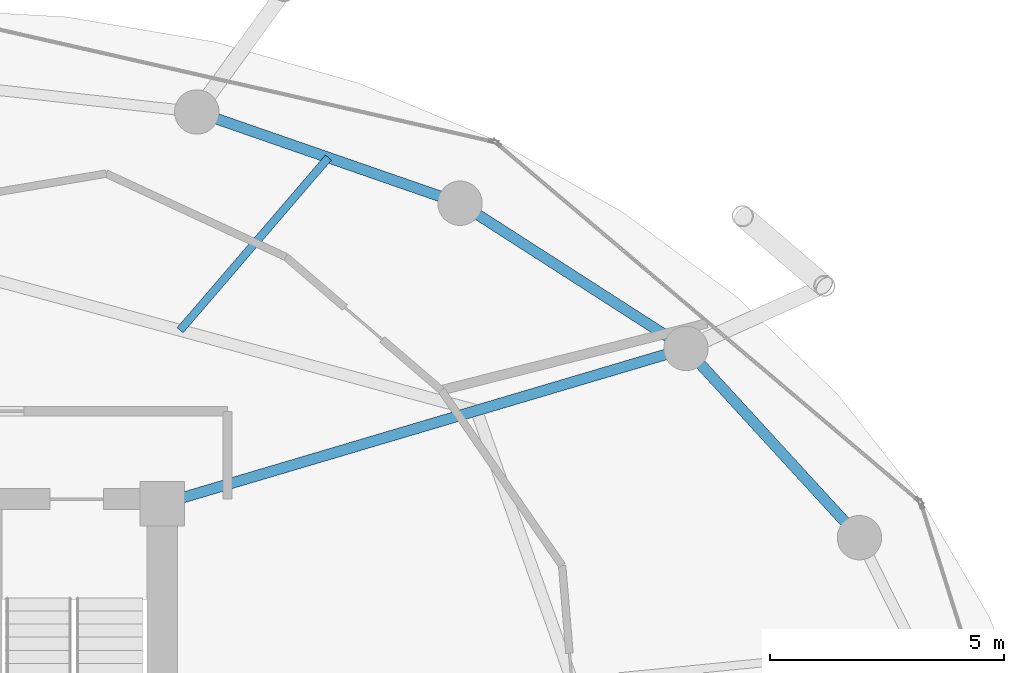
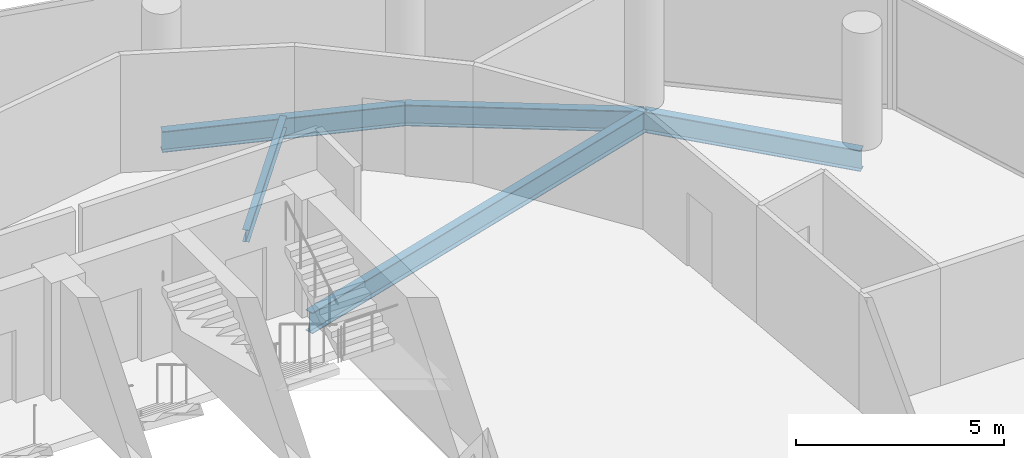
# One storey, part 18 of 26: 5 beams.
"""IFC4 building model written with IfcOpenShell, lengths in metres."""

from ifc_helpers import new_model, si_unit, direction, frame, origin, origin_2d, place, context, subcontext, project, spatial, i_section, extrude, material, material_profile, profile_set, type_object, element, save


model = new_model("IFC4")

# Units and contexts
model_context = context("Model", 3, precision=1e-05, world=origin(), true_north=direction((0.0, 1.0)))
body_context = subcontext(model_context, "Body", "Model", "MODEL_VIEW")
ifc_project = project(units=[si_unit("LENGTHUNIT", "METRE"), si_unit("AREAUNIT", "SQUARE_METRE"), si_unit("VOLUMEUNIT", "CUBIC_METRE"), si_unit("PLANEANGLEUNIT", "RADIAN"), si_unit("MASSUNIT", "GRAM", prefix="KILO")], contexts=[model_context])

# Site, building, storey
site_placement = place(None, origin())
site = spatial("IfcSite", under=ifc_project, at=site_placement, CompositionType="ELEMENT")
building_placement = place(site_placement, origin())
building = spatial("IfcBuilding", under=site, at=building_placement, Name="Nuhasar Tower", CompositionType="ELEMENT")
storey_placement = place(building_placement, frame((0.0, 0.0, 173.75)))
storey = spatial("IfcBuildingStorey", under=building, at=storey_placement, Name="L42", CompositionType="ELEMENT", Elevation=173.75)

# Beams
ifc_material = material(Name="Steel S355", Category="steel")
ifc_material_profile_1 = material_profile(ifc_material, i_section(OverallWidth=0.1708984375, OverallDepth=0.35205078125, WebThickness=0.0068359375, FlangeThickness=0.009765625, at=origin_2d()), Name="W14X30")
ifc_profile_set_1 = profile_set([ifc_material_profile_1], Name="Steel S355")
beam_type_1 = type_object("IfcBeamType", Name="BM-JST-W14X30", PredefinedType="JOIST", material=ifc_profile_set_1)
beam_1_placement = place(storey_placement, frame((44.68408203125, 41.011962890625, -0.426025390625), z_axis=(0.651690621509, 0.758484893612, 0.0), x_axis=(-0.758484893612, 0.651690621509, 0.0)))
element("IfcBeam", 1, at=beam_1_placement, inside=storey, type_object=beam_type_1, Name="L42 Secondary Floor Joist 05", PredefinedType="JOIST", context=body_context, shape_type="SweptSolid", body=[
    extrude(i_section(OverallWidth=0.1708984375, OverallDepth=0.35205078125, WebThickness=0.0068359375, FlangeThickness=0.009765625, at=origin_2d()), origin(), (0.0, 0.0, 1.0), 4.87158203125),
])
ifc_material_profile_2 = material_profile(ifc_material, i_section(OverallWidth=0.22900390625, OverallDepth=0.612060546875, WebThickness=0.011962890625, FlangeThickness=0.01953125, at=origin_2d()), Name="W24X84")
ifc_profile_set_2 = profile_set([ifc_material_profile_2], Name="Steel S355")
beam_type_2 = type_object("IfcBeamType", Name="BM-RAD-W24X84", PredefinedType="BEAM", material=ifc_profile_set_2)
beam_2_placement = place(storey_placement, frame((44.300048828125, 37.300048828125, -0.555908203125), z_axis=(0.958746492721, 0.284262489076, 0.0), x_axis=(-0.284262489076, 0.958746492721, 0.0)))
element("IfcBeam", 2, at=beam_2_placement, inside=storey, type_object=beam_type_2, Name="L42 Radial Floor Girder 05", PredefinedType="BEAM", context=body_context, shape_type="SweptSolid", body=[
    extrude(i_section(OverallWidth=0.22900390625, OverallDepth=0.612060546875, WebThickness=0.011962890625, FlangeThickness=0.01953125, at=origin_2d()), origin(), (0.0, 0.0, 1.0), 11.693359375),
])
ifc_material_profile_3 = material_profile(ifc_material, i_section(OverallWidth=0.22998046875, OverallDepth=0.616943359375, WebThickness=0.01318359375, FlangeThickness=0.022216796875, at=origin_2d()), Name="W24X94")
ifc_profile_set_3 = profile_set([ifc_material_profile_3], Name="Steel S355")
beam_type_3 = type_object("IfcBeamType", Name="BM-RING-W24X94", PredefinedType="SPANDREL", material=ifc_profile_set_3)
beam_3_placement = place(storey_placement, frame((59.221923828125, 36.574951171875, -0.55908203125), z_axis=(-0.675654174897, 0.737218716491, 0.0), x_axis=(-0.737218716491, -0.675654174897, 0.0)))
element("IfcBeam", 3, at=beam_3_placement, inside=storey, type_object=beam_type_3, Name="L42 Perimeter Ring Spandrel 03", PredefinedType="SPANDREL", context=body_context, shape_type="SweptSolid", body=[
    extrude(i_section(OverallWidth=0.22998046875, OverallDepth=0.616943359375, WebThickness=0.01318359375, FlangeThickness=0.022216796875, at=origin_2d()), origin(), (0.0, 0.0, 1.0), 5.492431640625),
])
beam_4_placement = place(storey_placement, frame((55.510986328125, 40.6240234375, -0.55908203125), z_axis=(-0.841327486207, 0.540525726448, 0.0), x_axis=(-0.540525726448, -0.841327486207, 0.0)))
element("IfcBeam", 4, at=beam_4_placement, inside=storey, type_object=beam_type_3, Name="L42 Perimeter Ring Spandrel 04", PredefinedType="SPANDREL", context=body_context, shape_type="SweptSolid", body=[
    extrude(i_section(OverallWidth=0.22998046875, OverallDepth=0.616943359375, WebThickness=0.01318359375, FlangeThickness=0.022216796875, at=origin_2d()), origin(), (0.0, 0.0, 1.0), 5.748046875),
])
beam_5_placement = place(storey_placement, frame((50.675048828125, 43.73095703125, -0.55908203125), z_axis=(-0.944801380051, 0.327643636066, 0.0), x_axis=(-0.327643636066, -0.944801380051, 0.0)))
element("IfcBeam", 5, at=beam_5_placement, inside=storey, type_object=beam_type_3, Name="L42 Perimeter Ring Spandrel 05", PredefinedType="SPANDREL", context=body_context, shape_type="SweptSolid", body=[
    extrude(i_section(OverallWidth=0.22998046875, OverallDepth=0.616943359375, WebThickness=0.01318359375, FlangeThickness=0.022216796875, at=origin_2d()), origin(), (0.0, 0.0, 1.0), 5.961181640625),
])

save(model, "model.ifc")
